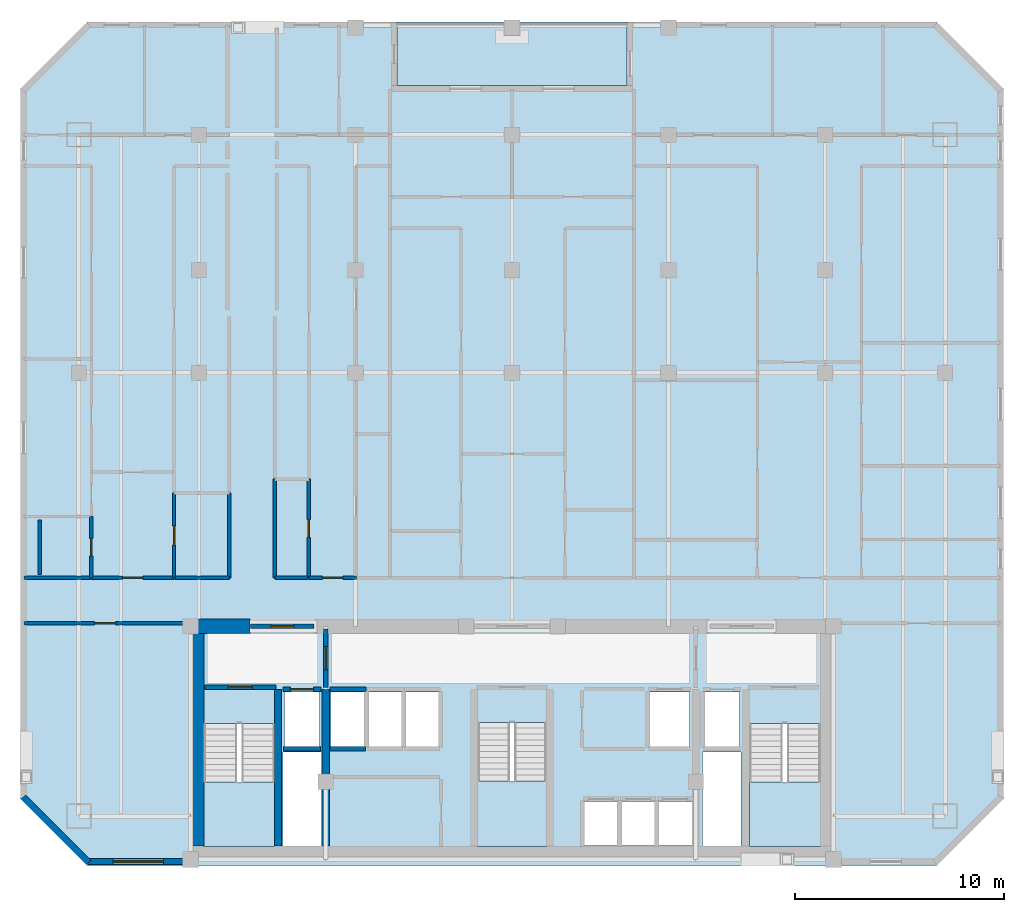
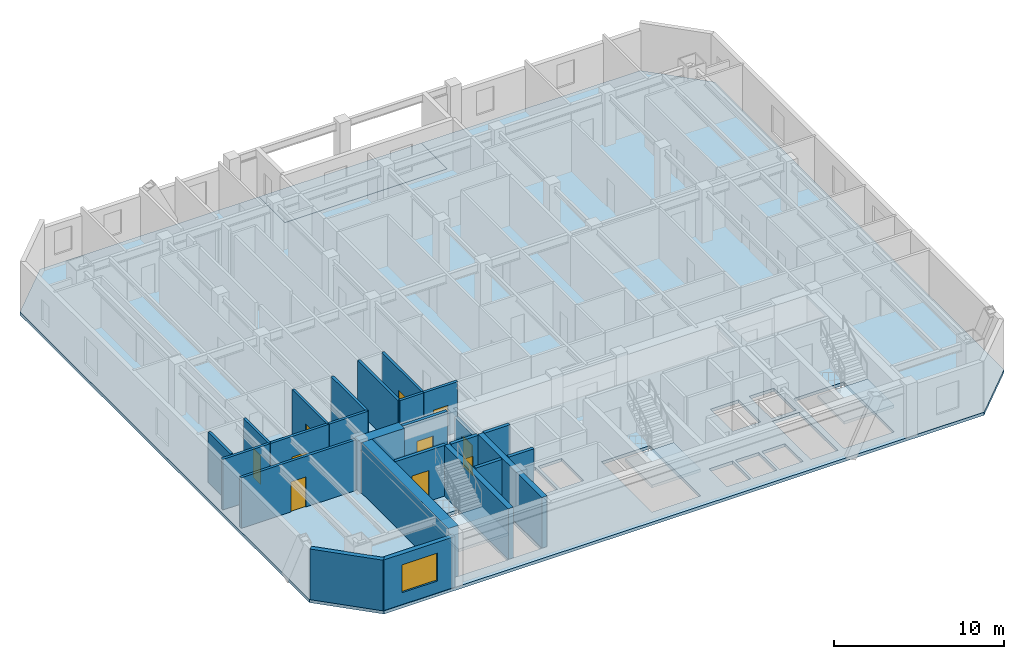
# One storey, part 2 of 8: 25 walls, 10 doors, 5 slabs, 1 window, 11 openings, 3 elements without a shape of their own.
"""IFC4 building model written with IfcOpenShell, lengths in metres."""

from ifc_helpers import new_model, si_unit, direction, frame, frame_2d, origin, place, context, subcontext, project, spatial, polyline, rectangle, outline, extrude, material, layer, layer_set, type_object, element, fill, aggregate, save


model = new_model("IFC4")

# Units and contexts
model_context = context("Model", 3, precision=1e-05, world=origin(), true_north=direction((0.0, 1.0)))
body_context = subcontext(model_context, "Body", "Model", "MODEL_VIEW")
ifc_project = project(units=[si_unit("LENGTHUNIT", "METRE"), si_unit("AREAUNIT", "SQUARE_METRE"), si_unit("VOLUMEUNIT", "CUBIC_METRE"), si_unit("PLANEANGLEUNIT", "RADIAN"), si_unit("MASSUNIT", "GRAM", prefix="KILO")], contexts=[model_context])

# Site, building, storey
site_placement = place(None, origin())
site = spatial("IfcSite", under=ifc_project, at=site_placement, CompositionType="ELEMENT")
building_placement = place(site_placement, origin())
building = spatial("IfcBuilding", under=site, at=building_placement, Name="Ventersveld Concourse Tower", CompositionType="ELEMENT")
storey_placement = place(building_placement, frame((0.0, 0.0, 179.85009765625)))
storey = spatial("IfcBuildingStorey", under=building, at=storey_placement, Name="L44", CompositionType="ELEMENT", Elevation=179.85009765625)

# Slabs
ifc_material_1 = material(Name="Concrete C50/60", Category="concrete")
ifc_layer_1 = layer(ifc_material_1, 0.219970703125)
ifc_layer_set_1 = layer_set([ifc_layer_1], Name="Concrete C50/60")
slab_type_1 = type_object("IfcSlabType", Name="SL-FLR-220", PredefinedType="FLOOR", material=ifc_layer_set_1)
slab_1_placement = place(storey_placement, frame((0.0, 0.0, -0.22021484375)))
element("IfcSlab", 1, at=slab_1_placement, inside=storey, type_object=slab_type_1, Name="L44 Composite Floor Slab", PredefinedType="FLOOR", context=body_context, shape_type="SweptSolid", body=[
    extrude(outline(polyline([(8.39990234375, 0.0), (49.10009765625, 0.0), (52.300048828125, 3.199951171875), (52.300048828125, 37.199951171875), (49.10009765625, 40.39990234375), (34.25, 40.39990234375), (34.25, 37.35009765625), (23.25, 37.35009765625), (23.25, 40.39990234375), (8.39990234375, 40.39990234375), (5.199951171875, 37.199951171875), (5.199951171875, 3.199951171875), (8.39990234375, 0.0)]), holes=[polyline([(13.97998046875, 6.794921875), (13.97998046875, 0.89990234375), (17.3798828125, 0.89990234375), (17.3798828125, 6.794921875), (13.97998046875, 6.794921875)]), polyline([(40.1201171875, 6.794921875), (40.1201171875, 0.89990234375), (43.52001953125, 0.89990234375), (43.52001953125, 6.794921875), (40.1201171875, 6.794921875)]), polyline([(27.10009765625, 6.844970703125), (27.10009765625, 0.89990234375), (30.39990234375, 0.89990234375), (30.39990234375, 6.844970703125), (27.10009765625, 6.844970703125)]), polyline([(17.85009765625, 5.699951171875), (19.530029296875, 5.699951171875), (19.530029296875, 8.300048828125), (17.85009765625, 8.300048828125), (17.85009765625, 5.699951171875)]), polyline([(37.969970703125, 5.699951171875), (39.64990234375, 5.699951171875), (39.64990234375, 8.300048828125), (37.969970703125, 8.300048828125), (37.969970703125, 5.699951171875)]), polyline([(35.35009765625, 5.699951171875), (37.25, 5.699951171875), (37.25, 8.300048828125), (35.35009765625, 8.300048828125), (35.35009765625, 5.699951171875)]), polyline([(32.2099609375, 0.949951171875), (33.81005859375, 0.949951171875), (33.81005859375, 3.050048828125), (32.2099609375, 3.050048828125), (32.2099609375, 0.949951171875)]), polyline([(33.989990234375, 0.949951171875), (35.590087890625, 0.949951171875), (35.590087890625, 3.050048828125), (33.989990234375, 3.050048828125), (33.989990234375, 0.949951171875)]), polyline([(35.77001953125, 0.949951171875), (37.3701171875, 0.949951171875), (37.3701171875, 3.050048828125), (35.77001953125, 3.050048828125), (35.77001953125, 0.949951171875)]), polyline([(20.090087890625, 5.699951171875), (21.68994140625, 5.699951171875), (21.68994140625, 8.300048828125), (20.090087890625, 8.300048828125), (20.090087890625, 5.699951171875)]), polyline([(21.8701171875, 5.699951171875), (23.469970703125, 5.699951171875), (23.469970703125, 8.300048828125), (21.8701171875, 8.300048828125), (21.8701171875, 5.699951171875)]), polyline([(23.64990234375, 5.699951171875), (25.25, 5.699951171875), (25.25, 8.300048828125), (23.64990234375, 8.300048828125), (23.64990234375, 5.699951171875)]), polyline([(17.780029296875, 0.919921875), (19.6201171875, 0.919921875), (19.6201171875, 5.419921875), (17.780029296875, 5.419921875), (17.780029296875, 0.919921875)]), polyline([(37.8798828125, 0.919921875), (39.719970703125, 0.919921875), (39.719970703125, 5.419921875), (37.8798828125, 5.419921875), (37.8798828125, 0.919921875)])]), origin(), (0.0, 0.0, 1.0), 0.22021484375),
])
slab_2_placement = place(storey_placement, frame((0.0, 0.0, -0.22021484375)))
element("IfcSlab", 2, at=slab_2_placement, inside=storey, type_object=slab_type_1, Name="L44 Outdoor Terrace Slab NOTCH-N", PredefinedType="FLOOR", context=body_context, shape_type="SweptSolid", body=[
    extrude(outline(polyline([(23.25, 37.35009765625), (34.25, 37.35009765625), (34.25, 40.39990234375), (23.25, 40.39990234375), (23.25, 37.35009765625)])), origin(), (0.0, 0.0, 1.0), 0.22021484375),
])

# Stair, slab
stair_type_1 = type_object("IfcStairType", Name="ST-DOG-160", PredefinedType="HALF_TURN_STAIR", material=ifc_material_1)
stair_1_placement = place(storey_placement, origin())
stair_1 = element("IfcStair", 3, at=stair_1_placement, inside=storey, type_object=stair_type_1, Name="L44 Protected Tower Escape Stair ST-01", PredefinedType="HALF_TURN_STAIR")
ifc_layer_2 = layer(ifc_material_1, 0.199951171875)
ifc_layer_set_2 = layer_set([ifc_layer_2], Name="Concrete C50/60")
slab_type_2 = type_object("IfcSlabType", Name="SL-LND-200", PredefinedType="LANDING", material=ifc_layer_set_2)
slab_3_placement = place(storey_placement, frame((0.0, 0.0, 1.724853515625)))
slab_3 = element("IfcSlab", 4, at=slab_3_placement, type_object=slab_type_2, Name="ST-01 landing 1", PredefinedType="LANDING", context=body_context, shape_type="SweptSolid", body=[
    extrude(outline(polyline([(13.97998046875, 4.0), (13.97998046875, 0.89990234375), (17.3798828125, 0.89990234375), (17.3798828125, 4.0), (13.97998046875, 4.0)])), origin(), (0.0, 0.0, 1.0), 0.199951171875),
])
aggregate(stair_1, [slab_3])

stair_2_placement = place(storey_placement, origin())
stair_2 = element("IfcStair", 5, at=stair_2_placement, inside=storey, type_object=stair_type_1, Name="L44 Protected Tower Escape Stair ST-02", PredefinedType="HALF_TURN_STAIR")
slab_4_placement = place(storey_placement, frame((0.0, 0.0, 1.724853515625)))
slab_4 = element("IfcSlab", 6, at=slab_4_placement, type_object=slab_type_2, Name="ST-02 landing 1", PredefinedType="LANDING", context=body_context, shape_type="SweptSolid", body=[
    extrude(outline(polyline([(40.1201171875, 4.0), (40.1201171875, 0.89990234375), (43.52001953125, 0.89990234375), (43.52001953125, 4.0), (40.1201171875, 4.0)])), origin(), (0.0, 0.0, 1.0), 0.199951171875),
])
aggregate(stair_2, [slab_4])

stair_type_2 = type_object("IfcStairType", Name="ST-DOG-155", PredefinedType="HALF_TURN_STAIR", material=ifc_material_1)
stair_3_placement = place(storey_placement, origin())
stair_3 = element("IfcStair", 7, at=stair_3_placement, inside=storey, type_object=stair_type_2, Name="L44 Protected Central Core Escape Stair ST-03", PredefinedType="HALF_TURN_STAIR")
slab_5_placement = place(storey_placement, frame((0.0, 0.0, 1.724853515625)))
slab_5 = element("IfcSlab", 8, at=slab_5_placement, type_object=slab_type_2, Name="ST-03 landing 1", PredefinedType="LANDING", context=body_context, shape_type="SweptSolid", body=[
    extrude(outline(polyline([(27.10009765625, 4.050048828125), (27.10009765625, 0.89990234375), (30.39990234375, 0.89990234375), (30.39990234375, 4.050048828125), (27.10009765625, 4.050048828125)])), origin(), (0.0, 0.0, 1.0), 0.199951171875),
])
aggregate(stair_3, [slab_5])

# Walls
ifc_material_2 = material(Name="Concrete C60/75", Category="concrete")
ifc_layer_3 = layer(ifc_material_2, 0.35009765625)
ifc_layer_set_3 = layer_set([ifc_layer_3], Name="Concrete C60/75")
wall_type_1 = type_object("IfcWallType", Name="WL-CORE-350L", PredefinedType="SHEAR", material=ifc_layer_set_3)
for number, where, z_axis, x_axis, name in (
    (9, (17.5400390625, 0.919921875, 0.0), (0.0, 0.0, 1.0), (0.0, 1.0, 0.0), "L44 Core Internal Shear Web W-ST1-E"),
    (10, (19.820068359375, 0.919921875, 0.0), (0.0, 0.0, 1.0), (0.0, 1.0, 0.0), "L44 Core Internal Shear Web W-FF1-E"),
):
    element("IfcWall", number, at=place(storey_placement, frame(where, z_axis=z_axis, x_axis=x_axis)), inside=storey, type_object=wall_type_1, Name=name, PredefinedType="SHEAR", context=body_context, shape_type="SweptSolid", body=[
        extrude(rectangle(XDim=7.5, YDim=0.35009765625, at=frame_2d((3.75, 0.0))), origin(), (0.0, 0.0, 1.0), 3.6298828125),
    ])
ifc_layer_4 = layer(ifc_material_2, 0.699951171875)
ifc_layer_set_4 = layer_set([ifc_layer_4], Name="Concrete C60/75")
wall_type_2 = type_object("IfcWallType", Name="WL-CORE-700", PredefinedType="SHEAR", material=ifc_layer_set_4)
wall_1_placement = place(storey_placement, frame((13.64990234375, 0.919921875, 0.0), z_axis=(0.0, 0.0, 1.0), x_axis=(0.0, 1.0, 0.0)))
element("IfcWall", 11, at=wall_1_placement, inside=storey, type_object=wall_type_2, Name="L44 Rear Core West Shear Wall", PredefinedType="SHEAR", context=body_context, shape_type="SweptSolid", body=[
    extrude(rectangle(XDim=10.530029296875, YDim=0.699951171875, at=frame_2d((5.26513671875, 0.0))), origin(), (0.0, 0.0, 1.0), 3.6298828125),
])
wall_2_placement = place(storey_placement, frame((13.25, 11.449951171875, 0.0), z_axis=(0.0, 0.0, 1.0), x_axis=(1.0, 0.0, 0.0)))
element("IfcWall", 12, at=wall_2_placement, inside=storey, type_object=wall_type_2, Name="L44 Rear Core North Shear Wall NW", PredefinedType="SHEAR", context=body_context, shape_type="SweptSolid", body=[
    extrude(rectangle(XDim=2.949951171875, YDim=0.699951171875, at=frame_2d((1.47509765625, 0.0))), origin(), (0.0, 0.0, 1.0), 3.6298828125),
])

# Wall, opening, door
ifc_material_3 = material(Name="Fire-rated autoclaved aerated masonry blockwork", Category="masonry")
ifc_layer_5 = layer(ifc_material_3, 0.179931640625)
ifc_layer_set_5 = layer_set([ifc_layer_5], Name="Fire-rated autoclaved aerated masonry blockwork")
wall_type_3 = type_object("IfcWallType", Name="WL-CORR-180", PredefinedType="PARTITIONING", material=ifc_layer_set_5)
wall_3_placement = place(storey_placement, frame((5.37255859375, 11.60009765625, 0.0), z_axis=(0.0, 0.0, 1.0), x_axis=(1.0, 0.0, 0.0)))
wall_3 = element("IfcWall", 13, at=wall_3_placement, inside=storey, type_object=wall_type_3, Name="L44 Interior Partition SP-L44-SW-GAL-SP-L44-COR", PredefinedType="PARTITIONING", context=body_context, shape_type="SweptSolid", body=[
    extrude(rectangle(XDim=7.7724609375, YDim=0.179931640625, at=frame_2d((3.88623046875, 0.0))), origin(), (0.0, 0.0, 1.0), 3.6298828125),
])
opening_1_placement = place(wall_3_placement, frame((3.38623046875, 0.0, 0.0)))
opening_1 = element("IfcOpeningElement", 14, at=opening_1_placement, cuts=wall_3, Name="Opening FD3", PredefinedType="OPENING", context=body_context, shape_type="SweptSolid", body=[
    extrude(rectangle(XDim=1.0, YDim=2.14990234375, at=frame_2d((0.5, 1.074951171875))), frame((0.0, 0.10009765625, 0.0), z_axis=(0.0, -1.0, 0.0), x_axis=(1.0, 0.0, 0.0)), (0.0, 0.0, 1.0), 0.199951171875),
])
ifc_material_4 = material(Name="Solid-core hardwood veneer timber", Category="wood")
door_type_1 = type_object("IfcDoorType", Name="DR-FLAT-100", OperationType="NOTDEFINED", PredefinedType="DOOR", material=ifc_material_4)
door_1_placement = place(opening_1_placement, origin())
door_1 = element("IfcDoor", 15, at=door_1_placement, inside=storey, type_object=door_type_1, Name="L44 Interior Door SP-L44-SW-GAL to SP-L44-COR (D-L44-2151)", OperationType="SINGLE_SWING_LEFT", OverallHeight=2.14990234375, OverallWidth=1.0, PredefinedType="DOOR", context=body_context, shape_type="SweptSolid", body=[
    extrude(rectangle(XDim=1.0, YDim=2.14990234375, at=frame_2d((0.5, 1.074951171875))), frame((0.0, 0.02490234375, 0.0), z_axis=(0.0, -1.0, 0.0), x_axis=(1.0, 0.0, 0.0)), (0.0, 0.0, 1.0), 0.050048828125),
])
fill(opening_1, door_1)

wall_4_placement = place(storey_placement, frame((8.59765625, 13.77001953125, 0.0), z_axis=(0.0, 0.0, 1.0), x_axis=(1.0, 0.0, 0.0)))
wall_4 = element("IfcWall", 16, at=wall_4_placement, inside=storey, type_object=wall_type_3, Name="L44 Interior Partition SP-L44-COR-SP-L44-44NW-FOY", PredefinedType="PARTITIONING", context=body_context, shape_type="SweptSolid", body=[
    extrude(rectangle(XDim=3.969970703125, YDim=0.179931640625, at=frame_2d((1.98486328125, 0.0))), origin(), (0.0, 0.0, 1.0), 3.6298828125),
])
opening_2_placement = place(wall_4_placement, frame((1.485107421875, 0.0, 0.0)))
opening_2 = element("IfcOpeningElement", 17, at=opening_2_placement, cuts=wall_4, Name="Opening FD3", PredefinedType="OPENING", context=body_context, shape_type="SweptSolid", body=[
    extrude(rectangle(XDim=1.0, YDim=2.14990234375, at=frame_2d((0.5, 1.074951171875))), frame((0.0, 0.10009765625, 0.0), z_axis=(0.0, -1.0, 0.0), x_axis=(1.0, 0.0, 0.0)), (0.0, 0.0, 1.0), 0.199951171875),
])
door_2_placement = place(opening_2_placement, origin())
door_2 = element("IfcDoor", 18, at=door_2_placement, inside=storey, type_object=door_type_1, Name="L44 Interior Door SP-L44-COR to SP-L44-44NW-FOY (FD-L44-2153)", OperationType="SINGLE_SWING_LEFT", OverallHeight=2.14990234375, OverallWidth=1.0, PredefinedType="DOOR", context=body_context, shape_type="SweptSolid", body=[
    extrude(rectangle(XDim=1.0, YDim=2.14990234375, at=frame_2d((0.5, 1.074951171875))), frame((0.0, 0.02490234375, 0.0), z_axis=(0.0, -1.0, 0.0), x_axis=(1.0, 0.0, 0.0)), (0.0, 0.0, 1.0), 0.050048828125),
])
fill(opening_2, door_2)

# Walls
wall_5_placement = place(storey_placement, frame((5.37255859375, 13.77001953125, 0.0), z_axis=(0.0, 0.0, 1.0), x_axis=(1.0, 0.0, 0.0)))
element("IfcWall", 19, at=wall_5_placement, inside=storey, type_object=wall_type_3, Name="L44 Interior Partition SP-L44-COR-SP-L44-44NW-BATH", PredefinedType="PARTITIONING", context=body_context, shape_type="SweptSolid", body=[
    extrude(rectangle(XDim=3.195068359375, YDim=0.179931640625, at=frame_2d((1.59765625, 0.0))), origin(), (0.0, 0.0, 1.0), 3.6298828125),
])
wall_6_placement = place(storey_placement, frame((15.2099609375, 13.764892578125, 0.0), z_axis=(0.0, 0.0, 1.0), x_axis=(0.0, 1.0, 0.0)))
element("IfcWall", 20, at=wall_6_placement, inside=storey, type_object=wall_type_3, Name="L44 Interior Partition SP-L44-COR-SP-L44-44NW-KIT", PredefinedType="PARTITIONING", context=body_context, shape_type="SweptSolid", body=[
    extrude(rectangle(XDim=4.080810546875, YDim=0.179931640625, at=frame_2d((2.04052734375, 0.0))), origin(), (0.0, 0.0, 1.0), 3.6298828125),
])
wall_7_placement = place(storey_placement, frame((12.59765625, 13.77001953125, 0.0), z_axis=(0.0, 0.0, 1.0), x_axis=(1.0, 0.0, 0.0)))
element("IfcWall", 21, at=wall_7_placement, inside=storey, type_object=wall_type_3, Name="L44 Interior Partition SP-L44-COR-SP-L44-44NW-KIT", PredefinedType="PARTITIONING", context=body_context, shape_type="SweptSolid", body=[
    extrude(rectangle(XDim=2.617431640625, YDim=0.179931640625, at=frame_2d((1.30859375, 0.0))), origin(), (0.0, 0.0, 1.0), 3.6298828125),
])

# Wall, opening, door
wall_8_placement = place(storey_placement, frame((19.01611328125, 13.77001953125, 0.0), z_axis=(0.0, 0.0, 1.0), x_axis=(1.0, 0.0, 0.0)))
wall_8 = element("IfcWall", 22, at=wall_8_placement, inside=storey, type_object=wall_type_3, Name="L44 Interior Partition SP-L44-COR-SP-L44-44CW-LIV", PredefinedType="PARTITIONING", context=body_context, shape_type="SweptSolid", body=[
    extrude(rectangle(XDim=2.2900390625, YDim=0.179931640625, at=frame_2d((1.14501953125, 0.0))), origin(), (0.0, 0.0, 1.0), 3.6298828125),
])
opening_3_placement = place(wall_8_placement, frame((0.64501953125, 0.0, 0.0)))
opening_3 = element("IfcOpeningElement", 23, at=opening_3_placement, cuts=wall_8, Name="Opening FD3", PredefinedType="OPENING", context=body_context, shape_type="SweptSolid", body=[
    extrude(rectangle(XDim=1.0, YDim=2.14990234375, at=frame_2d((0.5, 1.074951171875))), frame((0.0, 0.10009765625, 0.0), z_axis=(0.0, -1.0, 0.0), x_axis=(1.0, 0.0, 0.0)), (0.0, 0.0, 1.0), 0.199951171875),
])
door_3_placement = place(opening_3_placement, origin())
door_3 = element("IfcDoor", 24, at=door_3_placement, inside=storey, type_object=door_type_1, Name="L44 Interior Door SP-L44-COR to SP-L44-44CW-LIV (FD-L44-2154)", OperationType="SINGLE_SWING_RIGHT", OverallHeight=2.14990234375, OverallWidth=1.0, PredefinedType="DOOR", context=body_context, shape_type="SweptSolid", body=[
    extrude(rectangle(XDim=1.0, YDim=2.14990234375, at=frame_2d((0.5, 1.074951171875))), frame((0.0, 0.02490234375, 0.0), z_axis=(0.0, -1.0, 0.0), x_axis=(1.0, 0.0, 0.0)), (0.0, 0.0, 1.0), 0.050048828125),
])
fill(opening_3, door_3)

# Walls
wall_9_placement = place(storey_placement, frame((17.389892578125, 13.764892578125, 0.0), z_axis=(0.0, 0.0, 1.0), x_axis=(0.0, 1.0, 0.0)))
element("IfcWall", 25, at=wall_9_placement, inside=storey, type_object=wall_type_3, Name="L44 Interior Partition SP-L44-COR-SP-L44-44CW-BATH", PredefinedType="PARTITIONING", context=body_context, shape_type="SweptSolid", body=[
    extrude(rectangle(XDim=4.738525390625, YDim=0.179931640625, at=frame_2d((2.369140625, 0.0))), origin(), (0.0, 0.0, 1.0), 3.6298828125),
])
wall_10_placement = place(storey_placement, frame((17.385009765625, 13.77001953125, 0.0), z_axis=(0.0, 0.0, 1.0), x_axis=(1.0, 0.0, 0.0)))
element("IfcWall", 26, at=wall_10_placement, inside=storey, type_object=wall_type_3, Name="L44 Interior Partition SP-L44-COR-SP-L44-44CW-BATH", PredefinedType="PARTITIONING", context=body_context, shape_type="SweptSolid", body=[
    extrude(rectangle(XDim=1.60107421875, YDim=0.179931640625, at=frame_2d((0.800537109375, 0.0))), origin(), (0.0, 0.0, 1.0), 3.6298828125),
])
ifc_layer_6 = layer(ifc_material_3, 0.219970703125)
ifc_layer_set_6 = layer_set([ifc_layer_6], Name="Fire-rated autoclaved aerated masonry blockwork")
wall_type_4 = type_object("IfcWallType", Name="WL-HOIST-220", PredefinedType="SOLIDWALL", material=ifc_layer_set_6)
wall_11_placement = place(storey_placement, frame((17.800048828125, 5.590087890625, 0.0), z_axis=(0.0, 0.0, 1.0), x_axis=(1.0, 0.0, 0.0)))
element("IfcWall", 27, at=wall_11_placement, inside=storey, type_object=wall_type_4, Name="L44 Lift Hoistway Back Wall FFL-01", PredefinedType="SOLIDWALL", context=body_context, shape_type="SweptSolid", body=[
    extrude(rectangle(XDim=1.780029296875, YDim=0.219970703125, at=frame_2d((0.89013671875, 0.0))), origin(), (0.0, 0.0, 1.0), 3.6298828125),
])

# Wall, opening, door
wall_12_placement = place(storey_placement, frame((17.780029296875, 8.429931640625, 0.0), z_axis=(0.0, 0.0, 1.0), x_axis=(1.0, 0.0, 0.0)))
wall_12 = element("IfcWall", 28, at=wall_12_placement, inside=storey, type_object=wall_type_4, Name="L44 Lift Hoistway Front Wall FFL-01", PredefinedType="SOLIDWALL", context=body_context, shape_type="SweptSolid", body=[
    extrude(rectangle(XDim=1.820068359375, YDim=0.219970703125, at=frame_2d((0.91015625, 0.0))), origin(), (0.0, 0.0, 1.0), 3.6298828125),
])
opening_4_placement = place(wall_12_placement, frame((0.35009765625, 0.0, 0.0)))
opening_4 = element("IfcOpeningElement", 29, at=opening_4_placement, cuts=wall_12, Name="Opening LD1", PredefinedType="OPENING", context=body_context, shape_type="SweptSolid", body=[
    extrude(rectangle(XDim=1.1201171875, YDim=2.25, at=frame_2d((0.56005859375, 1.125))), frame((0.0, 0.1201171875, 0.0), z_axis=(0.0, -1.0, 0.0), x_axis=(1.0, 0.0, 0.0)), (0.0, 0.0, 1.0), 0.239990234375),
])
ifc_material_5 = material(Name="Brushed stainless steel 316", Category="steel")
door_type_2 = type_object("IfcDoorType", Name="LD-FF-112", OperationType="SLIDING_TO_LEFT", PredefinedType="DOOR", material=ifc_material_5)
door_4_placement = place(opening_4_placement, origin())
door_4 = element("IfcDoor", 30, at=door_4_placement, inside=storey, type_object=door_type_2, Name="L44 Lift landing door FFL-01 (LD-L44-FFL-01)", OperationType="SLIDING_TO_LEFT", OverallHeight=2.25, OverallWidth=1.1201171875, PredefinedType="DOOR", context=body_context, shape_type="SweptSolid", body=[
    extrude(rectangle(XDim=1.1201171875, YDim=2.25, at=frame_2d((0.56005859375, 1.125))), frame((0.0, 0.02490234375, 0.0), z_axis=(0.0, -1.0, 0.0), x_axis=(1.0, 0.0, 0.0)), (0.0, 0.0, 1.0), 0.050048828125),
])
fill(opening_4, door_4)

# Walls
wall_13_placement = place(storey_placement, frame((20.0400390625, 5.590087890625, 0.0), z_axis=(0.0, 0.0, 1.0), x_axis=(1.0, 0.0, 0.0)))
element("IfcWall", 31, at=wall_13_placement, inside=storey, type_object=wall_type_4, Name="L44 Lift Hoistway Back Wall PH-01", PredefinedType="SOLIDWALL", context=body_context, shape_type="SweptSolid", body=[
    extrude(rectangle(XDim=1.699951171875, YDim=0.219970703125, at=frame_2d((0.85009765625, 0.0))), origin(), (0.0, 0.0, 1.0), 3.6298828125),
])
wall_14_placement = place(storey_placement, frame((20.02001953125, 8.429931640625, 0.0), z_axis=(0.0, 0.0, 1.0), x_axis=(1.0, 0.0, 0.0)))
element("IfcWall", 32, at=wall_14_placement, inside=storey, type_object=wall_type_4, Name="L44 Lift Hoistway Front Wall PH-01", PredefinedType="SOLIDWALL", context=body_context, shape_type="SweptSolid", body=[
    extrude(rectangle(XDim=1.739990234375, YDim=0.219970703125, at=frame_2d((0.8701171875, 0.0))), origin(), (0.0, 0.0, 1.0), 3.6298828125),
])

# Wall, opening, door
wall_15_placement = place(storey_placement, frame((14.0400390625, 8.52001953125, 0.0), z_axis=(0.0, 0.0, 1.0), x_axis=(1.0, 0.0, 0.0)))
wall_15 = element("IfcWall", 33, at=wall_15_placement, inside=storey, type_object=wall_type_4, Name="L44 Escape Stair ST01 Fire Wall", PredefinedType="SOLIDWALL", context=body_context, shape_type="SweptSolid", body=[
    extrude(rectangle(XDim=3.39990234375, YDim=0.219970703125, at=frame_2d((1.699951171875, 0.0))), origin(), (0.0, 0.0, 1.0), 3.6298828125),
])
opening_5_placement = place(wall_15_placement, frame((1.125, 0.0, 0.0)))
opening_5 = element("IfcOpeningElement", 34, at=opening_5_placement, cuts=wall_15, Name="Opening FD1", PredefinedType="OPENING", context=body_context, shape_type="SweptSolid", body=[
    extrude(rectangle(XDim=1.14990234375, YDim=2.199951171875, at=frame_2d((0.574951171875, 1.10009765625))), frame((0.0, 0.1201171875, 0.0), z_axis=(0.0, -1.0, 0.0), x_axis=(1.0, 0.0, 0.0)), (0.0, 0.0, 1.0), 0.239990234375),
])
ifc_material_6 = material(Name="Galvanised painted steel", Category="steel")
door_type_3 = type_object("IfcDoorType", Name="DR-STAIR-115", OperationType="NOTDEFINED", PredefinedType="DOOR", material=ifc_material_6)
door_5_placement = place(opening_5_placement, origin())
door_5 = element("IfcDoor", 35, at=door_5_placement, inside=storey, type_object=door_type_3, Name="L44 Escape Stair Door ST01 (SD-L44-2141)", OperationType="SINGLE_SWING_LEFT", OverallHeight=2.199951171875, OverallWidth=1.14990234375, PredefinedType="DOOR", context=body_context, shape_type="SweptSolid", body=[
    extrude(rectangle(XDim=1.14990234375, YDim=2.199951171875, at=frame_2d((0.574951171875, 1.10009765625))), frame((0.0, 0.02490234375, 0.0), z_axis=(0.0, -1.0, 0.0), x_axis=(1.0, 0.0, 0.0)), (0.0, 0.0, 1.0), 0.050048828125),
])
fill(opening_5, door_5)

wall_16_placement = place(storey_placement, frame((19.820068359375, 8.52001953125, 0.0), z_axis=(0.0, 0.0, 1.0), x_axis=(0.0, 1.0, 0.0)))
wall_16 = element("IfcWall", 36, at=wall_16_placement, inside=storey, type_object=wall_type_4, Name="L44 Firefighting Lobby Smoke-Stop Wall FFLW-SEP", PredefinedType="SOLIDWALL", context=body_context, shape_type="SweptSolid", body=[
    extrude(rectangle(XDim=2.800048828125, YDim=0.219970703125, at=frame_2d((1.39990234375, 0.0))), origin(), (0.0, 0.0, 1.0), 3.08544921875),
])
opening_6_placement = place(wall_16_placement, frame((0.85009765625, 0.0, 0.0)))
opening_6 = element("IfcOpeningElement", 37, at=opening_6_placement, cuts=wall_16, Name="Opening FD2", PredefinedType="OPENING", context=body_context, shape_type="SweptSolid", body=[
    extrude(rectangle(XDim=1.10009765625, YDim=2.199951171875, at=frame_2d((0.550048828125, 1.10009765625))), frame((0.0, 0.1201171875, 0.0), z_axis=(0.0, -1.0, 0.0), x_axis=(1.0, 0.0, 0.0)), (0.0, 0.0, 1.0), 0.239990234375),
])
door_type_4 = type_object("IfcDoorType", Name="DR-FFL-110", OperationType="NOTDEFINED", PredefinedType="DOOR", material=ifc_material_6)
door_6_placement = place(opening_6_placement, origin())
door_6 = element("IfcDoor", 38, at=door_6_placement, inside=storey, type_object=door_type_4, Name="L44 Firefighting Lobby Door FFLW-SEP (FD-L44-2144)", OperationType="SINGLE_SWING_LEFT", OverallHeight=2.199951171875, OverallWidth=1.10009765625, PredefinedType="DOOR", context=body_context, shape_type="SweptSolid", body=[
    extrude(rectangle(XDim=1.10009765625, YDim=2.199951171875, at=frame_2d((0.550048828125, 1.10009765625))), frame((0.0, 0.02490234375, 0.0), z_axis=(0.0, -1.0, 0.0), x_axis=(1.0, 0.0, 0.0)), (0.0, 0.0, 1.0), 0.050048828125),
])
fill(opening_6, door_6)

wall_17_placement = place(storey_placement, frame((16.22998046875, 11.449951171875, 0.0), z_axis=(0.0, 0.0, 1.0), x_axis=(1.0, 0.0, 0.0)))
wall_17 = element("IfcWall", 39, at=wall_17_placement, inside=storey, type_object=wall_type_4, Name="L44 Core North Fire Portal FFLW-OUT", PredefinedType="SOLIDWALL", context=body_context, shape_type="SweptSolid", body=[
    extrude(rectangle(XDim=3.0400390625, YDim=0.219970703125, at=frame_2d((1.52001953125, 0.0))), origin(), (0.0, 0.0, 1.0), 3.6298828125),
])
opening_7_placement = place(wall_17_placement, frame((0.969970703125, 0.0, 0.0)))
opening_7 = element("IfcOpeningElement", 40, at=opening_7_placement, cuts=wall_17, Name="Opening FD2", PredefinedType="OPENING", context=body_context, shape_type="SweptSolid", body=[
    extrude(rectangle(XDim=1.10009765625, YDim=2.199951171875, at=frame_2d((0.550048828125, 1.10009765625))), frame((0.0, 0.1201171875, 0.0), z_axis=(0.0, -1.0, 0.0), x_axis=(1.0, 0.0, 0.0)), (0.0, 0.0, 1.0), 0.239990234375),
])
door_7_placement = place(opening_7_placement, origin())
door_7 = element("IfcDoor", 41, at=door_7_placement, inside=storey, type_object=door_type_4, Name="L44 Core Lobby Fire Door FFLW-OUT (FD-L44-2146)", OperationType="SINGLE_SWING_RIGHT", OverallHeight=2.199951171875, OverallWidth=1.10009765625, PredefinedType="DOOR", context=body_context, shape_type="SweptSolid", body=[
    extrude(rectangle(XDim=1.10009765625, YDim=2.199951171875, at=frame_2d((0.550048828125, 1.10009765625))), frame((0.0, 0.02490234375, 0.0), z_axis=(0.0, -1.0, 0.0), x_axis=(1.0, 0.0, 0.0)), (0.0, 0.0, 1.0), 0.050048828125),
])
fill(opening_7, door_7)

ifc_material_7 = material(Name="Autoclaved aerated masonry blockwork", Category="masonry")
ifc_layer_7 = layer(ifc_material_7, 0.14990234375)
ifc_layer_set_7 = layer_set([ifc_layer_7], Name="Autoclaved aerated masonry blockwork")
wall_type_5 = type_object("IfcWallType", Name="WL-INT-150", PredefinedType="PARTITIONING", material=ifc_layer_set_7)
wall_18_placement = place(storey_placement, frame((12.5625, 13.764892578125, 0.0), z_axis=(0.0, 0.0, 1.0), x_axis=(0.0, 1.0, 0.0)))
wall_18 = element("IfcWall", 42, at=wall_18_placement, inside=storey, type_object=wall_type_5, Name="L44 Interior Partition SP-L44-44NW-FOY-SP-L44-44NW-KIT", PredefinedType="PARTITIONING", context=body_context, shape_type="SweptSolid", body=[
    extrude(rectangle(XDim=4.080810546875, YDim=0.14990234375, at=frame_2d((2.04052734375, 0.0))), origin(), (0.0, 0.0, 1.0), 3.6298828125),
])
opening_8_placement = place(wall_18_placement, frame((1.580322265625, 0.0, 0.0)))
opening_8 = element("IfcOpeningElement", 43, at=opening_8_placement, cuts=wall_18, Name="Opening ID1", PredefinedType="OPENING", context=body_context, shape_type="SweptSolid", body=[
    extrude(rectangle(XDim=0.919921875, YDim=2.10009765625, at=frame_2d((0.4599609375, 1.050048828125))), frame((0.0, 0.0849609375, 0.0), z_axis=(0.0, -1.0, 0.0), x_axis=(1.0, 0.0, 0.0)), (0.0, 0.0, 1.0), 0.169921875),
])
door_type_5 = type_object("IfcDoorType", Name="DR-ROOM-092", OperationType="NOTDEFINED", PredefinedType="DOOR", material=ifc_material_4)
door_8_placement = place(opening_8_placement, origin())
door_8 = element("IfcDoor", 44, at=door_8_placement, inside=storey, type_object=door_type_5, Name="L44 Interior Door SP-L44-44NW-FOY to SP-L44-44NW-KIT (D-L44-2160)", OperationType="SINGLE_SWING_RIGHT", OverallHeight=2.10009765625, OverallWidth=0.919921875, PredefinedType="DOOR", context=body_context, shape_type="SweptSolid", body=[
    extrude(rectangle(XDim=0.919921875, YDim=2.10009765625, at=frame_2d((0.4599609375, 1.050048828125))), frame((0.0, 0.02490234375, 0.0), z_axis=(0.0, -1.0, 0.0), x_axis=(1.0, 0.0, 0.0)), (0.0, 0.0, 1.0), 0.050048828125),
])
fill(opening_8, door_8)

# Wall, opening, window
ifc_material_8 = material(Name="Precast concrete C45/55", Category="concrete")
ifc_layer_8 = layer(ifc_material_8, 0.300048828125)
ifc_layer_set_8 = layer_set([ifc_layer_8], Name="Precast concrete C45/55")
wall_type_6 = type_object("IfcWallType", Name="WL-PREC-300", PredefinedType="SOLIDWALL", material=ifc_layer_set_8)
wall_19_placement = place(storey_placement, frame((8.43994140625, 0.179931640625, 0.0), z_axis=(0.0, 0.0, 1.0), x_axis=(1.0, 0.0, 0.0)))
wall_19 = element("IfcWall", 45, at=wall_19_placement, inside=storey, type_object=wall_type_6, Name="L44 South-West Flank Precast Wall", PredefinedType="SOLIDWALL", context=body_context, shape_type="SweptSolid", body=[
    extrude(rectangle(XDim=4.81005859375, YDim=0.300048828125, at=frame_2d((2.405029296875, 0.0))), origin(), (0.0, 0.0, 1.0), 3.6298828125),
])
opening_9_placement = place(wall_19_placement, frame((1.205078125, 0.0, 0.85009765625)))
opening_9 = element("IfcOpeningElement", 46, at=opening_9_placement, cuts=wall_19, Name="Opening W5", PredefinedType="OPENING", context=body_context, shape_type="SweptSolid", body=[
    extrude(rectangle(XDim=2.39990234375, YDim=2.0, at=frame_2d((1.199951171875, 1.0))), frame((0.0, 0.16015625, 0.0), z_axis=(0.0, -1.0, 0.0), x_axis=(1.0, 0.0, 0.0)), (0.0, 0.0, 1.0), 0.320068359375),
])
ifc_material_9 = material(Name="Tempered acoustic Low-E IGU", Category="glass")
window_type = type_object("IfcWindowType", Name="WIN-240x210", PartitioningType="SINGLE_PANEL", PredefinedType="WINDOW", material=ifc_material_9)
window_placement = place(opening_9_placement, origin())
window = element("IfcWindow", 47, at=window_placement, inside=storey, type_object=window_type, Name="L44 Punched Low-E Window W-0600", OverallHeight=2.0, OverallWidth=2.39990234375, PartitioningType="SINGLE_PANEL", PredefinedType="WINDOW", context=body_context, shape_type="SweptSolid", body=[
    extrude(rectangle(XDim=2.39990234375, YDim=2.0, at=frame_2d((1.199951171875, 1.0))), frame((0.0, 0.030029296875, 0.0), z_axis=(0.0, -1.0, 0.0), x_axis=(1.0, 0.0, 0.0)), (0.0, 0.0, 1.0), 0.06005859375),
])
fill(opening_9, window)

# Wall
wall_20_placement = place(storey_placement, frame((5.33447265625, 3.27783203125, 0.0), z_axis=(0.0, 0.0, 1.0), x_axis=(0.707106781187, -0.707106781187, 0.0)))
element("IfcWall", 48, at=wall_20_placement, inside=storey, type_object=wall_type_6, Name="L44 Highveld Precast Facade Wall E12", PredefinedType="SOLIDWALL", context=body_context, shape_type="SweptSolid", body=[
    extrude(rectangle(XDim=4.4453125, YDim=0.300048828125, at=frame_2d((2.22265625, 0.0))), origin(), (0.0, 0.0, 1.0), 3.6298828125),
])

# Wall, opening, door
ifc_layer_9 = layer(ifc_material_7, 0.1650390625)
ifc_layer_set_9 = layer_set([ifc_layer_9], Name="Autoclaved aerated masonry blockwork")
wall_type_7 = type_object("IfcWallType", Name="WL-WET-165", PredefinedType="PLUMBINGWALL", material=ifc_layer_set_9)
wall_21_placement = place(storey_placement, frame((8.6025390625, 13.764892578125, 0.0), z_axis=(0.0, 0.0, 1.0), x_axis=(0.0, 1.0, 0.0)))
wall_21 = element("IfcWall", 49, at=wall_21_placement, inside=storey, type_object=wall_type_7, Name="L44 Interior Partition SP-L44-44NW-FOY-SP-L44-44NW-BATH", PredefinedType="PLUMBINGWALL", context=body_context, shape_type="SweptSolid", body=[
    extrude(rectangle(XDim=2.948486328125, YDim=0.1650390625, at=frame_2d((1.47412109375, 0.0))), origin(), (0.0, 0.0, 1.0), 3.6298828125),
])
opening_10_placement = place(wall_21_placement, frame((1.04931640625, 0.0, 0.0)))
opening_10 = element("IfcOpeningElement", 50, at=opening_10_placement, cuts=wall_21, Name="Opening ID2", PredefinedType="OPENING", context=body_context, shape_type="SweptSolid", body=[
    extrude(rectangle(XDim=0.85009765625, YDim=2.10009765625, at=frame_2d((0.425048828125, 1.050048828125))), frame((0.0, 0.092529296875, 0.0), z_axis=(0.0, -1.0, 0.0), x_axis=(1.0, 0.0, 0.0)), (0.0, 0.0, 1.0), 0.18505859375),
])
door_type_6 = type_object("IfcDoorType", Name="DR-BATH-085", OperationType="NOTDEFINED", PredefinedType="DOOR", material=ifc_material_4)
door_9_placement = place(opening_10_placement, origin())
door_9 = element("IfcDoor", 51, at=door_9_placement, inside=storey, type_object=door_type_6, Name="L44 Interior Door SP-L44-44NW-FOY to SP-L44-44NW-BATH (D-L44-2158)", OperationType="SINGLE_SWING_RIGHT", OverallHeight=2.10009765625, OverallWidth=0.85009765625, PredefinedType="DOOR", context=body_context, shape_type="SweptSolid", body=[
    extrude(rectangle(XDim=0.85009765625, YDim=2.10009765625, at=frame_2d((0.425048828125, 1.050048828125))), frame((0.0, 0.02490234375, 0.0), z_axis=(0.0, -1.0, 0.0), x_axis=(1.0, 0.0, 0.0)), (0.0, 0.0, 1.0), 0.050048828125),
])
fill(opening_10, door_9)

wall_22_placement = place(storey_placement, frame((19.02099609375, 13.764892578125, 0.0), z_axis=(0.0, 0.0, 1.0), x_axis=(0.0, 1.0, 0.0)))
wall_22 = element("IfcWall", 52, at=wall_22_placement, inside=storey, type_object=wall_type_7, Name="L44 Interior Partition SP-L44-44CW-LIV-SP-L44-44CW-BATH", PredefinedType="PLUMBINGWALL", context=body_context, shape_type="SweptSolid", body=[
    extrude(rectangle(XDim=4.738525390625, YDim=0.1650390625, at=frame_2d((2.369140625, 0.0))), origin(), (0.0, 0.0, 1.0), 3.6298828125),
])
opening_11_placement = place(wall_22_placement, frame((1.944091796875, 0.0, 0.0)))
opening_11 = element("IfcOpeningElement", 53, at=opening_11_placement, cuts=wall_22, Name="Opening ID2", PredefinedType="OPENING", context=body_context, shape_type="SweptSolid", body=[
    extrude(rectangle(XDim=0.85009765625, YDim=2.10009765625, at=frame_2d((0.425048828125, 1.050048828125))), frame((0.0, 0.092529296875, 0.0), z_axis=(0.0, -1.0, 0.0), x_axis=(1.0, 0.0, 0.0)), (0.0, 0.0, 1.0), 0.18505859375),
])
door_10_placement = place(opening_11_placement, origin())
door_10 = element("IfcDoor", 54, at=door_10_placement, inside=storey, type_object=door_type_6, Name="L44 Interior Door SP-L44-44CW-LIV to SP-L44-44CW-BATH (D-L44-2166)", OperationType="SINGLE_SWING_RIGHT", OverallHeight=2.10009765625, OverallWidth=0.85009765625, PredefinedType="DOOR", context=body_context, shape_type="SweptSolid", body=[
    extrude(rectangle(XDim=0.85009765625, YDim=2.10009765625, at=frame_2d((0.425048828125, 1.050048828125))), frame((0.0, 0.02490234375, 0.0), z_axis=(0.0, -1.0, 0.0), x_axis=(1.0, 0.0, 0.0)), (0.0, 0.0, 1.0), 0.050048828125),
])
fill(opening_11, door_10)

# Wall
wall_23_placement = place(storey_placement, frame((6.1201171875, 13.93505859375, 0.0), z_axis=(0.0, 0.0, 1.0), x_axis=(0.0, 1.0, 0.0)))
element("IfcWall", 55, at=wall_23_placement, inside=storey, type_object=wall_type_7, Name="L44 Room Enclosure Wall SP-L44-44NW-BATH", PredefinedType="PLUMBINGWALL", context=body_context, shape_type="SweptSolid", body=[
    extrude(rectangle(XDim=2.6083984375, YDim=0.1650390625, at=frame_2d((1.30419921875, 0.0))), origin(), (0.0, 0.0, 1.0), 3.6298828125),
])

save(model, "model.ifc")
